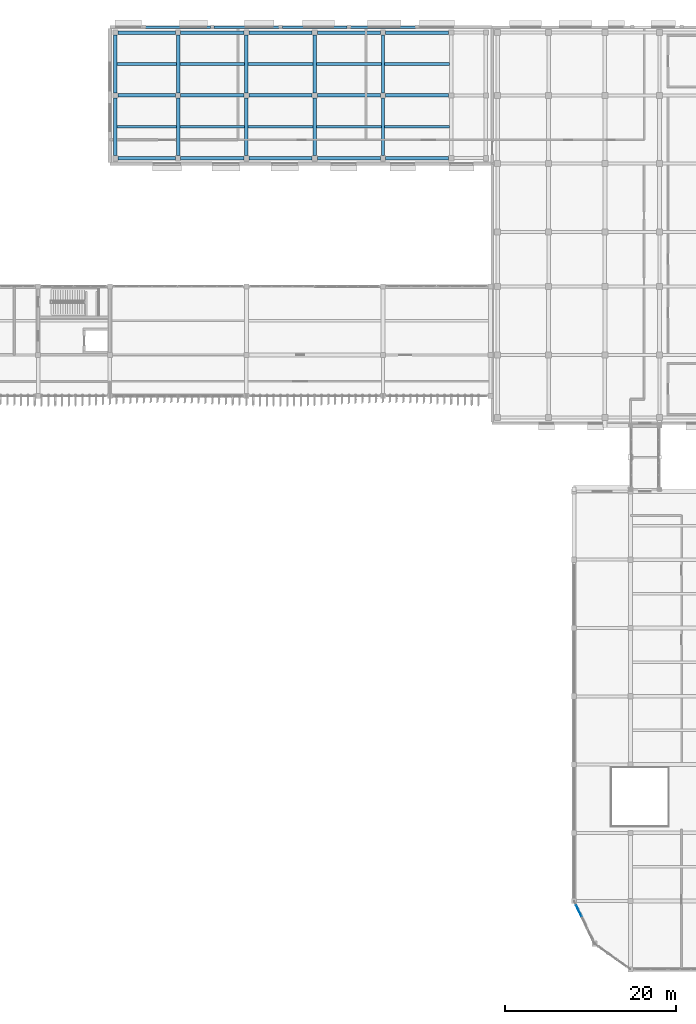
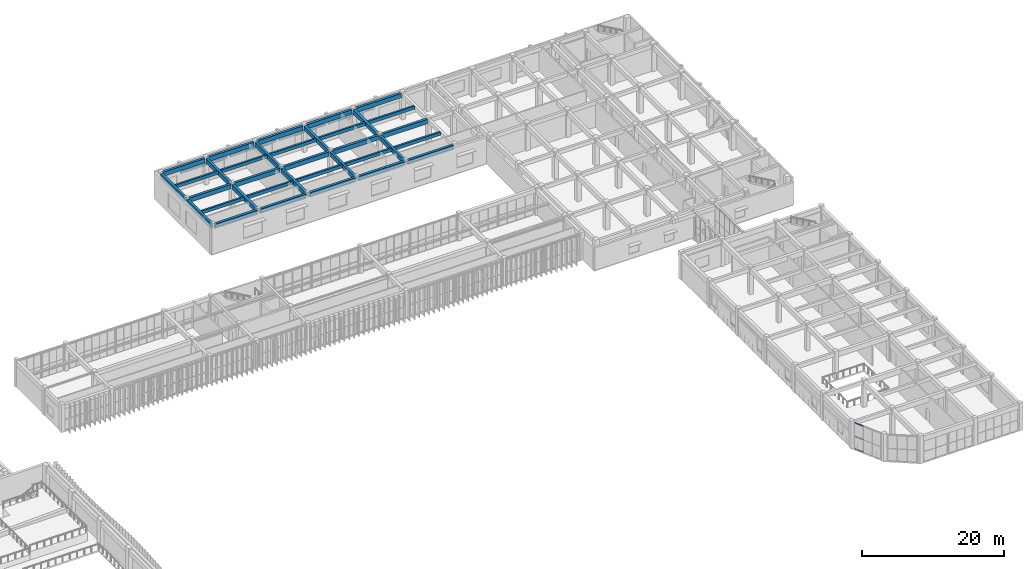
# One storey, part 20 of 64: 39 beams, 3 members, 1 element without a shape of its own.
"""IFC4 building model written with IfcOpenShell, lengths in metres."""

from ifc_helpers import new_model, si_unit, direction, frame, origin, origin_2d, place, context, subcontext, project, spatial, rectangle, extrude, material, layer, layer_set, material_profile, profile_set, type_object, element, aggregate, save


model = new_model("IFC4")

# Units and contexts
model_context = context("Model", 3, precision=1e-05, world=origin(), true_north=direction((0.0, 1.0)))
body_context = subcontext(model_context, "Body", "Model", "MODEL_VIEW")
ifc_project = project(units=[si_unit("LENGTHUNIT", "METRE"), si_unit("AREAUNIT", "SQUARE_METRE"), si_unit("VOLUMEUNIT", "CUBIC_METRE"), si_unit("PLANEANGLEUNIT", "RADIAN"), si_unit("MASSUNIT", "GRAM", prefix="KILO")], contexts=[model_context])

# Site, building, storey
site_placement = place(None, origin())
site = spatial("IfcSite", under=ifc_project, at=site_placement, CompositionType="ELEMENT")
building_placement = place(site_placement, origin())
building = spatial("IfcBuilding", under=site, at=building_placement, Name="Cinchona Park Media Centre", CompositionType="ELEMENT")
storey_placement = place(building_placement, frame((0.0, 0.0, 5.39990234375)))
storey = spatial("IfcBuildingStorey", under=building, at=storey_placement, Name="L01", CompositionType="ELEMENT", Elevation=5.39990234375)

# Beams
ifc_material_1 = material(Name="Concrete C35/45", Category="concrete")
ifc_material_profile_1 = material_profile(ifc_material_1, rectangle(XDim=0.39990234375, YDim=0.75, at=origin_2d()), Name="RB 400X750")
ifc_profile_set_1 = profile_set([ifc_material_profile_1], Name="Concrete C35/45")
beam_type_1 = type_object("IfcBeamType", Name="BEAM-B01-RB400X750", PredefinedType="BEAM", material=ifc_profile_set_1)
beam_1_placement = place(storey_placement, frame((95.739990234375, 102.639892578125, 4.1650390625), z_axis=(1.0, 0.0, 0.0), x_axis=(0.0, 1.0, 0.0)))
element("IfcBeam", 1, at=beam_1_placement, inside=storey, type_object=beam_type_1, Name="Beam B01 L01", PredefinedType="BEAM", context=body_context, shape_type="SweptSolid", body=[
    extrude(rectangle(XDim=0.39990234375, YDim=0.75, at=origin_2d()), origin(), (0.0, 0.0, 1.0), 6.760009765625),
])
for number, where, z_axis, x_axis, name in (
    (2, (103.10009765625, 102.639892578125, 4.1650390625), (1.0, 0.0, 0.0), (0.0, 1.0, 0.0), "Beam B01 L01"),
    (3, (111.10009765625, 102.639892578125, 4.1650390625), (1.0, 0.0, 0.0), (0.0, 1.0, 0.0), "Beam B01 L01"),
    (4, (119.10009765625, 102.639892578125, 4.1650390625), (1.0, 0.0, 0.0), (0.0, 1.0, 0.0), "Beam B01 L01"),
    (5, (127.10009765625, 102.639892578125, 4.1650390625), (1.0, 0.0, 0.0), (0.0, 1.0, 0.0), "Beam B01 L01"),
):
    element("IfcBeam", number, at=place(storey_placement, frame(where, z_axis=z_axis, x_axis=x_axis)), inside=storey, type_object=beam_type_1, Name=name, PredefinedType="BEAM", context=body_context, shape_type="SweptSolid", body=[
        extrude(rectangle(XDim=0.39990234375, YDim=0.75, at=origin_2d()), origin(), (0.0, 0.0, 1.0), 7.39990234375),
    ])
beam_2_placement = place(storey_placement, frame((95.739990234375, 110.0, 4.1650390625), z_axis=(1.0, 0.0, 0.0), x_axis=(0.0, 1.0, 0.0)))
element("IfcBeam", 6, at=beam_2_placement, inside=storey, type_object=beam_type_1, Name="Beam B01 L01", PredefinedType="BEAM", context=body_context, shape_type="SweptSolid", body=[
    extrude(rectangle(XDim=0.39990234375, YDim=0.75, at=origin_2d()), origin(), (0.0, 0.0, 1.0), 6.760009765625),
])
for number, where, z_axis, x_axis, name in (
    (7, (103.10009765625, 110.0, 4.1650390625), (1.0, 0.0, 0.0), (0.0, 1.0, 0.0), "Beam B01 L01"),
    (8, (111.10009765625, 110.0, 4.1650390625), (1.0, 0.0, 0.0), (0.0, 1.0, 0.0), "Beam B01 L01"),
    (9, (119.10009765625, 110.0, 4.1650390625), (1.0, 0.0, 0.0), (0.0, 1.0, 0.0), "Beam B01 L01"),
    (10, (127.10009765625, 110.0, 4.1650390625), (1.0, 0.0, 0.0), (0.0, 1.0, 0.0), "Beam B01 L01"),
):
    element("IfcBeam", number, at=place(storey_placement, frame(where, z_axis=z_axis, x_axis=x_axis)), inside=storey, type_object=beam_type_1, Name=name, PredefinedType="BEAM", context=body_context, shape_type="SweptSolid", body=[
        extrude(rectangle(XDim=0.39990234375, YDim=0.75, at=origin_2d()), origin(), (0.0, 0.0, 1.0), 7.39990234375),
    ])
beam_3_placement = place(storey_placement, frame((95.739990234375, 117.360107421875, 4.1650390625), z_axis=(1.0, 0.0, 0.0), x_axis=(0.0, 1.0, 0.0)))
element("IfcBeam", 11, at=beam_3_placement, inside=storey, type_object=beam_type_1, Name="Beam B01 L01", PredefinedType="BEAM", context=body_context, shape_type="SweptSolid", body=[
    extrude(rectangle(XDim=0.39990234375, YDim=0.75, at=origin_2d()), origin(), (0.0, 0.0, 1.0), 6.760009765625),
])
for number, where, z_axis, x_axis, name in (
    (12, (103.10009765625, 117.360107421875, 4.1650390625), (1.0, 0.0, 0.0), (0.0, 1.0, 0.0), "Beam B01 L01"),
    (13, (111.10009765625, 117.360107421875, 4.1650390625), (1.0, 0.0, 0.0), (0.0, 1.0, 0.0), "Beam B01 L01"),
    (14, (119.10009765625, 117.360107421875, 4.1650390625), (1.0, 0.0, 0.0), (0.0, 1.0, 0.0), "Beam B01 L01"),
    (15, (127.10009765625, 117.360107421875, 4.1650390625), (1.0, 0.0, 0.0), (0.0, 1.0, 0.0), "Beam B01 L01"),
):
    element("IfcBeam", number, at=place(storey_placement, frame(where, z_axis=z_axis, x_axis=x_axis)), inside=storey, type_object=beam_type_1, Name=name, PredefinedType="BEAM", context=body_context, shape_type="SweptSolid", body=[
        extrude(rectangle(XDim=0.39990234375, YDim=0.75, at=origin_2d()), origin(), (0.0, 0.0, 1.0), 7.39990234375),
    ])
for number, where, z_axis, x_axis, name in (
    (16, (95.43994140625, 102.93994140625, 4.1650390625), (0.0, 1.0, 0.0), (-1.0, 0.0, 0.0), "Girder B01 L01"),
    (17, (95.43994140625, 110.300048828125, 4.1650390625), (0.0, 1.0, 0.0), (-1.0, 0.0, 0.0), "Girder B01 L01"),
    (18, (102.800048828125, 102.93994140625, 4.1650390625), (0.0, 1.0, 0.0), (-1.0, 0.0, 0.0), "Girder B01 L01"),
    (19, (102.800048828125, 110.300048828125, 4.1650390625), (0.0, 1.0, 0.0), (-1.0, 0.0, 0.0), "Girder B01 L01"),
    (20, (110.800048828125, 102.93994140625, 4.1650390625), (0.0, 1.0, 0.0), (-1.0, 0.0, 0.0), "Girder B01 L01"),
    (21, (110.800048828125, 110.300048828125, 4.1650390625), (0.0, 1.0, 0.0), (-1.0, 0.0, 0.0), "Girder B01 L01"),
    (22, (118.800048828125, 102.93994140625, 4.1650390625), (0.0, 1.0, 0.0), (-1.0, 0.0, 0.0), "Girder B01 L01"),
    (23, (118.800048828125, 110.300048828125, 4.1650390625), (0.0, 1.0, 0.0), (-1.0, 0.0, 0.0), "Girder B01 L01"),
    (24, (126.800048828125, 102.93994140625, 4.1650390625), (0.0, 1.0, 0.0), (-1.0, 0.0, 0.0), "Girder B01 L01"),
    (25, (126.800048828125, 110.300048828125, 4.1650390625), (0.0, 1.0, 0.0), (-1.0, 0.0, 0.0), "Girder B01 L01"),
):
    element("IfcBeam", number, at=place(storey_placement, frame(where, z_axis=z_axis, x_axis=x_axis)), inside=storey, type_object=beam_type_1, Name=name, PredefinedType="BEAM", context=body_context, shape_type="SweptSolid", body=[
        extrude(rectangle(XDim=0.39990234375, YDim=0.75, at=origin_2d()), origin(), (0.0, 0.0, 1.0), 6.760009765625),
    ])
ifc_material_2 = material(Name="Concrete C35/45", Category="concrete")
ifc_material_profile_2 = material_profile(ifc_material_2, rectangle(XDim=0.300048828125, YDim=0.550048828125, at=origin_2d()), Name="RB 300X550")
ifc_profile_set_2 = profile_set([ifc_material_profile_2], Name="Concrete C35/45")
beam_type_2 = type_object("IfcBeamType", Name="BEAM-J01-RB300X550", PredefinedType="JOIST", material=ifc_profile_set_2)
for number, where, z_axis, x_axis, name in (
    (26, (95.639892578125, 106.320068359375, 4.26513671875), (1.0, 0.0, 0.0), (0.0, 1.0, 0.0), "Floor Joist J01 L01"),
    (27, (95.639892578125, 113.679931640625, 4.26513671875), (1.0, 0.0, 0.0), (0.0, 1.0, 0.0), "Floor Joist J01 L01"),
):
    element("IfcBeam", number, at=place(storey_placement, frame(where, z_axis=z_axis, x_axis=x_axis)), inside=storey, type_object=beam_type_2, Name=name, PredefinedType="JOIST", context=body_context, shape_type="SweptSolid", body=[
        extrude(rectangle(XDim=0.300048828125, YDim=0.550048828125, at=origin_2d()), origin(), (0.0, 0.0, 1.0), 6.960205078125),
    ])
for number, where, z_axis, x_axis, name in (
    (28, (103.0, 106.320068359375, 4.26513671875), (1.0, 0.0, 0.0), (0.0, 1.0, 0.0), "Floor Joist J01 L01"),
    (29, (103.0, 113.679931640625, 4.26513671875), (1.0, 0.0, 0.0), (0.0, 1.0, 0.0), "Floor Joist J01 L01"),
    (30, (111.0, 106.320068359375, 4.26513671875), (1.0, 0.0, 0.0), (0.0, 1.0, 0.0), "Floor Joist J01 L01"),
    (31, (111.0, 113.679931640625, 4.26513671875), (1.0, 0.0, 0.0), (0.0, 1.0, 0.0), "Floor Joist J01 L01"),
    (32, (119.0, 106.320068359375, 4.26513671875), (1.0, 0.0, 0.0), (0.0, 1.0, 0.0), "Floor Joist J01 L01"),
    (33, (119.0, 113.679931640625, 4.26513671875), (1.0, 0.0, 0.0), (0.0, 1.0, 0.0), "Floor Joist J01 L01"),
    (34, (127.0, 106.320068359375, 4.26513671875), (1.0, 0.0, 0.0), (0.0, 1.0, 0.0), "Floor Joist J01 L01"),
    (35, (127.0, 113.679931640625, 4.26513671875), (1.0, 0.0, 0.0), (0.0, 1.0, 0.0), "Floor Joist J01 L01"),
):
    element("IfcBeam", number, at=place(storey_placement, frame(where, z_axis=z_axis, x_axis=x_axis)), inside=storey, type_object=beam_type_2, Name=name, PredefinedType="JOIST", context=body_context, shape_type="SweptSolid", body=[
        extrude(rectangle(XDim=0.300048828125, YDim=0.550048828125, at=origin_2d()), origin(), (0.0, 0.0, 1.0), 7.60009765625),
    ])
ifc_material_3 = material(Name="Concrete C35/45", Category="concrete")
ifc_material_profile_3 = material_profile(ifc_material_3, rectangle(XDim=0.300048828125, YDim=0.39990234375, at=origin_2d()), Name="RL 300X400")
ifc_profile_set_3 = profile_set([ifc_material_profile_3], Name="Concrete C35/45")
beam_type_3 = type_object("IfcBeamType", Name="BEAM-LN02-RL300X400", PredefinedType="LINTEL", material=ifc_profile_set_3)
for number, where, z_axis, x_axis, name in (
    (36, (99.0048828125, 118.0, 2.900146484375), (1.0, 0.0, 0.0), (0.0, 1.0, 0.0), "Window Lintel LN02"),
    (37, (107.0048828125, 118.0, 2.9501953125), (1.0, 0.0, 0.0), (0.0, 1.0, 0.0), "Window Lintel LN02"),
    (38, (115.0048828125, 118.0, 2.9501953125), (1.0, 0.0, 0.0), (0.0, 1.0, 0.0), "Window Lintel LN02"),
    (39, (123.0048828125, 118.0, 3.0), (1.0, 0.0, 0.0), (0.0, 1.0, 0.0), "Window Lintel LN02"),
):
    element("IfcBeam", number, at=place(storey_placement, frame(where, z_axis=z_axis, x_axis=x_axis)), inside=storey, type_object=beam_type_3, Name=name, PredefinedType="LINTEL", context=body_context, shape_type="SweptSolid", body=[
        extrude(rectangle(XDim=0.300048828125, YDim=0.39990234375, at=origin_2d()), origin(), (0.0, 0.0, 1.0), 7.590087890625),
    ])

# Curtain wall, members
ifc_material_4 = material(Name="Aluminium Curtain Wall Framing", Category="aluminium")
ifc_layer = layer(ifc_material_4, 0.27001953125)
ifc_layer_set = layer_set([ifc_layer], Name="Aluminium Curtain Wall Framing")
curtain_wall_type = type_object("IfcCurtainWallType", Name="CW-CW07", PredefinedType="USERDEFINED", material=ifc_layer_set)
curtain_wall_placement = place(storey_placement, origin())
curtain_wall = element("IfcCurtainWall", 40, at=curtain_wall_placement, inside=storey, type_object=curtain_wall_type, Name="Curtain Wall CW07 L01", ObjectType="UNITISED CURTAIN WALL", PredefinedType="USERDEFINED")
ifc_material_5 = material(Name="Anodised Aluminium Alloy 6063-T6", Category="aluminium")
ifc_material_profile_4 = material_profile(ifc_material_5, rectangle(XDim=0.06494140625, YDim=0.1201171875, at=origin_2d()), Name="TRN-65X120")
ifc_profile_set_4 = profile_set([ifc_material_profile_4], Name="Anodised Aluminium Alloy 6063-T6")
member_type = type_object("IfcMemberType", Name="TRANSOM-TRN01", PredefinedType="USERDEFINED", material=ifc_profile_set_4)
member_1_placement = place(storey_placement, frame((150.05224609375, 13.82421875, 0.08251953125), z_axis=(-0.432687109098, 0.901544156223, 0.0), x_axis=(-0.901544156223, -0.432687109098, 0.0)))
member_1 = element("IfcMember", 41, at=member_1_placement, type_object=member_type, Name="CW07 transom 3.1", ObjectType="TRANSOM", PredefinedType="USERDEFINED", context=body_context, shape_type="SweptSolid", body=[
    extrude(rectangle(XDim=0.06494140625, YDim=0.1201171875, at=origin_2d()), origin(), (0.0, 0.0, 1.0), 1.444580078125),
])
member_2_placement = place(storey_placement, frame((150.05224609375, 13.82421875, 2.196044921875), z_axis=(-0.432687109098, 0.901544156223, 0.0), x_axis=(-0.901544156223, -0.432687109098, 0.0)))
member_2 = element("IfcMember", 42, at=member_2_placement, type_object=member_type, Name="CW07 transom 3.2", ObjectType="TRANSOM", PredefinedType="USERDEFINED", context=body_context, shape_type="SweptSolid", body=[
    extrude(rectangle(XDim=0.06494140625, YDim=0.1201171875, at=origin_2d()), origin(), (0.0, 0.0, 1.0), 1.444580078125),
])
member_3_placement = place(storey_placement, frame((150.05224609375, 13.82421875, 4.487548828125), z_axis=(-0.432687109098, 0.901544156223, 0.0), x_axis=(-0.901544156223, -0.432687109098, 0.0)))
member_3 = element("IfcMember", 43, at=member_3_placement, type_object=member_type, Name="CW07 transom 3.3", ObjectType="TRANSOM", PredefinedType="USERDEFINED", context=body_context, shape_type="SweptSolid", body=[
    extrude(rectangle(XDim=0.06494140625, YDim=0.1201171875, at=origin_2d()), origin(), (0.0, 0.0, 1.0), 1.444580078125),
])
aggregate(curtain_wall, [member_1, member_2, member_3])

save(model, "model.ifc")
